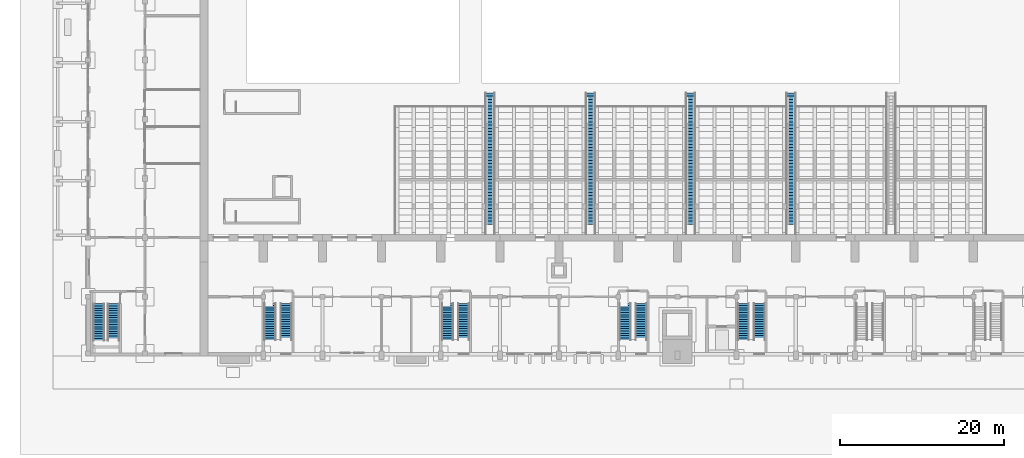
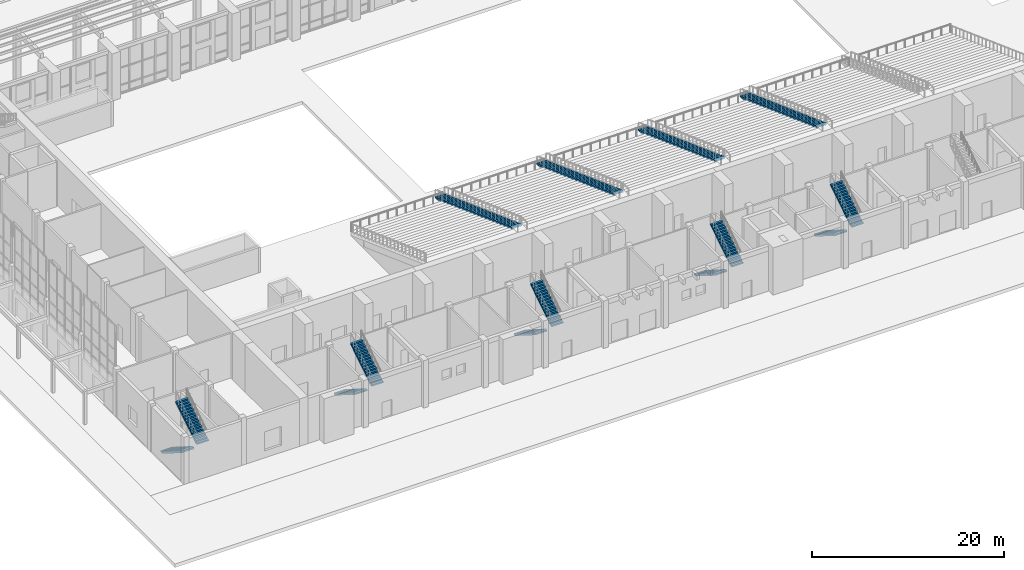
# One storey, part 54 of 70: 14 stair flights, 9 elements without a shape of their own.
"""IFC4 building model written with IfcOpenShell, lengths in metres."""

from ifc_helpers import new_model, si_unit, direction, frame, origin, place, context, subcontext, project, spatial, polyline, outline, extrude, material, type_object, element, aggregate, save


model = new_model("IFC4")

# Units and contexts
model_context = context("Model", 3, precision=1e-05, world=origin(), true_north=direction((0.0, 1.0)))
body_context = subcontext(model_context, "Body", "Model", "MODEL_VIEW")
ifc_project = project(units=[si_unit("LENGTHUNIT", "METRE"), si_unit("AREAUNIT", "SQUARE_METRE"), si_unit("VOLUMEUNIT", "CUBIC_METRE"), si_unit("PLANEANGLEUNIT", "RADIAN"), si_unit("MASSUNIT", "GRAM", prefix="KILO")], contexts=[model_context])

# Site, building, storey
site_placement = place(None, origin())
site = spatial("IfcSite", under=ifc_project, at=site_placement, CompositionType="ELEMENT")
building_placement = place(site_placement, origin())
building = spatial("IfcBuilding", under=site, at=building_placement, Name="Vermilion Court Aquatics Centre", CompositionType="ELEMENT")
storey_placement = place(building_placement, origin())
storey = spatial("IfcBuildingStorey", under=building, at=storey_placement, Name="L00", CompositionType="ELEMENT", Elevation=0.0)

# Stair, stair flights
ifc_material_1 = material(Name="Concrete 5000 psi", Category="concrete")
stair_type_1 = type_object("IfcStairType", Name="Foyer exit stair", PredefinedType="HALF_TURN_STAIR", material=ifc_material_1)
stair_1_placement = place(storey_placement, origin())
stair_1 = element("IfcStair", 1, at=stair_1_placement, inside=storey, type_object=stair_type_1, Name="Exit stair F1", PredefinedType="HALF_TURN_STAIR")
ifc_material_2 = material(Name="Concrete 5000 psi", Category="concrete")
stair_flight_type_1 = type_object("IfcStairFlightType", Name="Foyer exit stair flight 200", PredefinedType="STRAIGHT", material=ifc_material_2)
stair_flight_1_placement = place(storey_placement, frame((1.574951171875, 6.35009765625, 0.0), z_axis=(0.0, 0.0, 1.0), x_axis=(0.0, -1.0, 0.0)))
stair_flight_1 = element("IfcStairFlight", 2, at=stair_flight_1_placement, type_object=stair_flight_type_1, Name="FST1 flight 1", NumberOfRisers=17, NumberOfTreads=16, PredefinedType="STRAIGHT", RiserHeight=0.176470588, TreadLength=0.28, context=body_context, shape_type="SweptSolid", body=[
    extrude(outline(polyline([(0.0, 0.0), (0.0, 0.176513671875), (0.280029296875, 0.176513671875), (0.280029296875, 0.35302734375), (0.56005859375, 0.35302734375), (0.56005859375, 0.529296875), (0.840087890625, 0.529296875), (0.840087890625, 0.705810546875), (1.1201171875, 0.705810546875), (1.1201171875, 0.88232421875), (1.39990234375, 0.88232421875), (1.39990234375, 1.058837890625), (1.679931640625, 1.058837890625), (1.679931640625, 1.2353515625), (1.9599609375, 1.2353515625), (1.9599609375, 1.411865234375), (2.239990234375, 1.411865234375), (2.239990234375, 1.588134765625), (2.52001953125, 1.588134765625), (2.52001953125, 1.7646484375), (2.800048828125, 1.7646484375), (2.800048828125, 1.941162109375), (3.080078125, 1.941162109375), (3.080078125, 2.11767578125), (3.360107421875, 2.11767578125), (3.360107421875, 2.294189453125), (3.639892578125, 2.294189453125), (3.639892578125, 2.470703125), (3.919921875, 2.470703125), (3.919921875, 2.64697265625), (4.199951171875, 2.64697265625), (4.199951171875, 2.823486328125), (4.47998046875, 2.823486328125), (4.47998046875, 3.0), (4.47998046875, 2.587158203125), (0.375, 0.0), (0.0, 0.0)])), frame((0.0, 0.699951171875, 0.0), z_axis=(0.0, -1.0, 0.0), x_axis=(1.0, 0.0, 0.0)), (0.0, 0.0, 1.0), 1.39990234375),
])
stair_flight_2_placement = place(storey_placement, frame((3.375, 1.8701171875, 3.0), z_axis=(0.0, 0.0, 1.0), x_axis=(0.0, 1.0, 0.0)))
stair_flight_2 = element("IfcStairFlight", 3, at=stair_flight_2_placement, type_object=stair_flight_type_1, Name="FST1 flight 2", NumberOfRisers=17, NumberOfTreads=16, PredefinedType="STRAIGHT", RiserHeight=0.176470588, TreadLength=0.28, context=body_context, shape_type="SweptSolid", body=[
    extrude(outline(polyline([(0.0, 0.0), (0.0, 0.176513671875), (0.280029296875, 0.176513671875), (0.280029296875, 0.35302734375), (0.56005859375, 0.35302734375), (0.56005859375, 0.529296875), (0.840087890625, 0.529296875), (0.840087890625, 0.705810546875), (1.1201171875, 0.705810546875), (1.1201171875, 0.88232421875), (1.39990234375, 0.88232421875), (1.39990234375, 1.058837890625), (1.679931640625, 1.058837890625), (1.679931640625, 1.2353515625), (1.9599609375, 1.2353515625), (1.9599609375, 1.411865234375), (2.239990234375, 1.411865234375), (2.239990234375, 1.588134765625), (2.52001953125, 1.588134765625), (2.52001953125, 1.7646484375), (2.800048828125, 1.7646484375), (2.800048828125, 1.941162109375), (3.080078125, 1.941162109375), (3.080078125, 2.11767578125), (3.360107421875, 2.11767578125), (3.360107421875, 2.294189453125), (3.639892578125, 2.294189453125), (3.639892578125, 2.470703125), (3.919921875, 2.470703125), (3.919921875, 2.64697265625), (4.199951171875, 2.64697265625), (4.199951171875, 2.823486328125), (4.47998046875, 2.823486328125), (4.47998046875, 3.0), (4.47998046875, 2.587158203125), (0.375, 0.0), (0.0, 0.0)])), frame((0.0, 0.699951171875, 0.0), z_axis=(0.0, -1.0, 0.0), x_axis=(1.0, 0.0, 0.0)), (0.0, 0.0, 1.0), 1.39990234375),
])
aggregate(stair_1, [stair_flight_1, stair_flight_2])

ifc_material_3 = material(Name="Concrete 5000 psi", Category="concrete")
stair_type_2 = type_object("IfcStairType", Name="South exit stair", PredefinedType="HALF_TURN_STAIR", material=ifc_material_3)
stair_2_placement = place(storey_placement, origin())
stair_2 = element("IfcStair", 4, at=stair_2_placement, inside=storey, type_object=stair_type_2, Name="Exit stair S1", PredefinedType="HALF_TURN_STAIR")
ifc_material_4 = material(Name="Concrete 5000 psi", Category="concrete")
stair_flight_type_2 = type_object("IfcStairFlightType", Name="South exit stair flight", PredefinedType="STRAIGHT", material=ifc_material_4)
stair_flight_3_placement = place(storey_placement, frame((22.425048828125, 6.39990234375, 0.0), z_axis=(0.0, 0.0, 1.0), x_axis=(0.0, -1.0, 0.0)))
stair_flight_3 = element("IfcStairFlight", 5, at=stair_flight_3_placement, type_object=stair_flight_type_2, Name="SST1 flight 1", NumberOfRisers=17, NumberOfTreads=16, PredefinedType="STRAIGHT", RiserHeight=0.176470588, TreadLength=0.28, context=body_context, shape_type="SweptSolid", body=[
    extrude(outline(polyline([(0.0, 0.0), (0.0, 0.176513671875), (0.280029296875, 0.176513671875), (0.280029296875, 0.35302734375), (0.56005859375, 0.35302734375), (0.56005859375, 0.529296875), (0.840087890625, 0.529296875), (0.840087890625, 0.705810546875), (1.1201171875, 0.705810546875), (1.1201171875, 0.88232421875), (1.39990234375, 0.88232421875), (1.39990234375, 1.058837890625), (1.679931640625, 1.058837890625), (1.679931640625, 1.2353515625), (1.9599609375, 1.2353515625), (1.9599609375, 1.411865234375), (2.239990234375, 1.411865234375), (2.239990234375, 1.588134765625), (2.52001953125, 1.588134765625), (2.52001953125, 1.7646484375), (2.800048828125, 1.7646484375), (2.800048828125, 1.941162109375), (3.080078125, 1.941162109375), (3.080078125, 2.11767578125), (3.360107421875, 2.11767578125), (3.360107421875, 2.294189453125), (3.639892578125, 2.294189453125), (3.639892578125, 2.470703125), (3.919921875, 2.470703125), (3.919921875, 2.64697265625), (4.199951171875, 2.64697265625), (4.199951171875, 2.823486328125), (4.47998046875, 2.823486328125), (4.47998046875, 3.0), (4.47998046875, 2.646240234375), (0.28125, 0.0), (0.0, 0.0)])), frame((0.0, 0.699951171875, 0.0), z_axis=(0.0, -1.0, 0.0), x_axis=(1.0, 0.0, 0.0)), (0.0, 0.0, 1.0), 1.39990234375),
])
stair_flight_4_placement = place(storey_placement, frame((24.375, 1.919921875, 3.0), z_axis=(0.0, 0.0, 1.0), x_axis=(0.0, 1.0, 0.0)))
stair_flight_4 = element("IfcStairFlight", 6, at=stair_flight_4_placement, type_object=stair_flight_type_2, Name="SST1 flight 2", NumberOfRisers=17, NumberOfTreads=16, PredefinedType="STRAIGHT", RiserHeight=0.176470588, TreadLength=0.28, context=body_context, shape_type="SweptSolid", body=[
    extrude(outline(polyline([(0.0, 0.0), (0.0, 0.176513671875), (0.280029296875, 0.176513671875), (0.280029296875, 0.35302734375), (0.56005859375, 0.35302734375), (0.56005859375, 0.529296875), (0.840087890625, 0.529296875), (0.840087890625, 0.705810546875), (1.1201171875, 0.705810546875), (1.1201171875, 0.88232421875), (1.39990234375, 0.88232421875), (1.39990234375, 1.058837890625), (1.679931640625, 1.058837890625), (1.679931640625, 1.2353515625), (1.9599609375, 1.2353515625), (1.9599609375, 1.411865234375), (2.239990234375, 1.411865234375), (2.239990234375, 1.588134765625), (2.52001953125, 1.588134765625), (2.52001953125, 1.7646484375), (2.800048828125, 1.7646484375), (2.800048828125, 1.941162109375), (3.080078125, 1.941162109375), (3.080078125, 2.11767578125), (3.360107421875, 2.11767578125), (3.360107421875, 2.294189453125), (3.639892578125, 2.294189453125), (3.639892578125, 2.470703125), (3.919921875, 2.470703125), (3.919921875, 2.64697265625), (4.199951171875, 2.64697265625), (4.199951171875, 2.823486328125), (4.47998046875, 2.823486328125), (4.47998046875, 3.0), (4.47998046875, 2.646240234375), (0.28125, 0.0), (0.0, 0.0)])), frame((0.0, 0.699951171875, 0.0), z_axis=(0.0, -1.0, 0.0), x_axis=(1.0, 0.0, 0.0)), (0.0, 0.0, 1.0), 1.39990234375),
])
aggregate(stair_2, [stair_flight_3, stair_flight_4])

stair_3_placement = place(storey_placement, origin())
stair_3 = element("IfcStair", 7, at=stair_3_placement, inside=storey, type_object=stair_type_2, Name="Exit stair S2", PredefinedType="HALF_TURN_STAIR")
stair_flight_5_placement = place(storey_placement, frame((44.02490234375, 6.39990234375, 0.0), z_axis=(0.0, 0.0, 1.0), x_axis=(0.0, -1.0, 0.0)))
stair_flight_5 = element("IfcStairFlight", 8, at=stair_flight_5_placement, type_object=stair_flight_type_2, Name="SST1 flight 1", NumberOfRisers=17, NumberOfTreads=16, PredefinedType="STRAIGHT", RiserHeight=0.176470588, TreadLength=0.28, context=body_context, shape_type="SweptSolid", body=[
    extrude(outline(polyline([(0.0, 0.0), (0.0, 0.176513671875), (0.280029296875, 0.176513671875), (0.280029296875, 0.35302734375), (0.56005859375, 0.35302734375), (0.56005859375, 0.529296875), (0.840087890625, 0.529296875), (0.840087890625, 0.705810546875), (1.1201171875, 0.705810546875), (1.1201171875, 0.88232421875), (1.39990234375, 0.88232421875), (1.39990234375, 1.058837890625), (1.679931640625, 1.058837890625), (1.679931640625, 1.2353515625), (1.9599609375, 1.2353515625), (1.9599609375, 1.411865234375), (2.239990234375, 1.411865234375), (2.239990234375, 1.588134765625), (2.52001953125, 1.588134765625), (2.52001953125, 1.7646484375), (2.800048828125, 1.7646484375), (2.800048828125, 1.941162109375), (3.080078125, 1.941162109375), (3.080078125, 2.11767578125), (3.360107421875, 2.11767578125), (3.360107421875, 2.294189453125), (3.639892578125, 2.294189453125), (3.639892578125, 2.470703125), (3.919921875, 2.470703125), (3.919921875, 2.64697265625), (4.199951171875, 2.64697265625), (4.199951171875, 2.823486328125), (4.47998046875, 2.823486328125), (4.47998046875, 3.0), (4.47998046875, 2.646240234375), (0.28125, 0.0), (0.0, 0.0)])), frame((0.0, 0.699951171875, 0.0), z_axis=(0.0, -1.0, 0.0), x_axis=(1.0, 0.0, 0.0)), (0.0, 0.0, 1.0), 1.39990234375),
])
stair_flight_6_placement = place(storey_placement, frame((45.97509765625, 1.919921875, 3.0), z_axis=(0.0, 0.0, 1.0), x_axis=(0.0, 1.0, 0.0)))
stair_flight_6 = element("IfcStairFlight", 9, at=stair_flight_6_placement, type_object=stair_flight_type_2, Name="SST1 flight 2", NumberOfRisers=17, NumberOfTreads=16, PredefinedType="STRAIGHT", RiserHeight=0.176470588, TreadLength=0.28, context=body_context, shape_type="SweptSolid", body=[
    extrude(outline(polyline([(0.0, 0.0), (0.0, 0.176513671875), (0.280029296875, 0.176513671875), (0.280029296875, 0.35302734375), (0.56005859375, 0.35302734375), (0.56005859375, 0.529296875), (0.840087890625, 0.529296875), (0.840087890625, 0.705810546875), (1.1201171875, 0.705810546875), (1.1201171875, 0.88232421875), (1.39990234375, 0.88232421875), (1.39990234375, 1.058837890625), (1.679931640625, 1.058837890625), (1.679931640625, 1.2353515625), (1.9599609375, 1.2353515625), (1.9599609375, 1.411865234375), (2.239990234375, 1.411865234375), (2.239990234375, 1.588134765625), (2.52001953125, 1.588134765625), (2.52001953125, 1.7646484375), (2.800048828125, 1.7646484375), (2.800048828125, 1.941162109375), (3.080078125, 1.941162109375), (3.080078125, 2.11767578125), (3.360107421875, 2.11767578125), (3.360107421875, 2.294189453125), (3.639892578125, 2.294189453125), (3.639892578125, 2.470703125), (3.919921875, 2.470703125), (3.919921875, 2.64697265625), (4.199951171875, 2.64697265625), (4.199951171875, 2.823486328125), (4.47998046875, 2.823486328125), (4.47998046875, 3.0), (4.47998046875, 2.646240234375), (0.28125, 0.0), (0.0, 0.0)])), frame((0.0, 0.699951171875, 0.0), z_axis=(0.0, -1.0, 0.0), x_axis=(1.0, 0.0, 0.0)), (0.0, 0.0, 1.0), 1.39990234375),
])
aggregate(stair_3, [stair_flight_5, stair_flight_6])

stair_4_placement = place(storey_placement, origin())
stair_4 = element("IfcStair", 10, at=stair_4_placement, inside=storey, type_object=stair_type_2, Name="Exit stair S3", PredefinedType="HALF_TURN_STAIR")
stair_flight_7_placement = place(storey_placement, frame((65.625, 6.39990234375, 0.0), z_axis=(0.0, 0.0, 1.0), x_axis=(0.0, -1.0, 0.0)))
stair_flight_7 = element("IfcStairFlight", 11, at=stair_flight_7_placement, type_object=stair_flight_type_2, Name="SST1 flight 1", NumberOfRisers=17, NumberOfTreads=16, PredefinedType="STRAIGHT", RiserHeight=0.176470588, TreadLength=0.28, context=body_context, shape_type="SweptSolid", body=[
    extrude(outline(polyline([(0.0, 0.0), (0.0, 0.176513671875), (0.280029296875, 0.176513671875), (0.280029296875, 0.35302734375), (0.56005859375, 0.35302734375), (0.56005859375, 0.529296875), (0.840087890625, 0.529296875), (0.840087890625, 0.705810546875), (1.1201171875, 0.705810546875), (1.1201171875, 0.88232421875), (1.39990234375, 0.88232421875), (1.39990234375, 1.058837890625), (1.679931640625, 1.058837890625), (1.679931640625, 1.2353515625), (1.9599609375, 1.2353515625), (1.9599609375, 1.411865234375), (2.239990234375, 1.411865234375), (2.239990234375, 1.588134765625), (2.52001953125, 1.588134765625), (2.52001953125, 1.7646484375), (2.800048828125, 1.7646484375), (2.800048828125, 1.941162109375), (3.080078125, 1.941162109375), (3.080078125, 2.11767578125), (3.360107421875, 2.11767578125), (3.360107421875, 2.294189453125), (3.639892578125, 2.294189453125), (3.639892578125, 2.470703125), (3.919921875, 2.470703125), (3.919921875, 2.64697265625), (4.199951171875, 2.64697265625), (4.199951171875, 2.823486328125), (4.47998046875, 2.823486328125), (4.47998046875, 3.0), (4.47998046875, 2.646240234375), (0.28125, 0.0), (0.0, 0.0)])), frame((0.0, 0.699951171875, 0.0), z_axis=(0.0, -1.0, 0.0), x_axis=(1.0, 0.0, 0.0)), (0.0, 0.0, 1.0), 1.39990234375),
])
stair_flight_8_placement = place(storey_placement, frame((67.574951171875, 1.919921875, 3.0), z_axis=(0.0, 0.0, 1.0), x_axis=(0.0, 1.0, 0.0)))
stair_flight_8 = element("IfcStairFlight", 12, at=stair_flight_8_placement, type_object=stair_flight_type_2, Name="SST1 flight 2", NumberOfRisers=17, NumberOfTreads=16, PredefinedType="STRAIGHT", RiserHeight=0.176470588, TreadLength=0.28, context=body_context, shape_type="SweptSolid", body=[
    extrude(outline(polyline([(0.0, 0.0), (0.0, 0.176513671875), (0.280029296875, 0.176513671875), (0.280029296875, 0.35302734375), (0.56005859375, 0.35302734375), (0.56005859375, 0.529296875), (0.840087890625, 0.529296875), (0.840087890625, 0.705810546875), (1.1201171875, 0.705810546875), (1.1201171875, 0.88232421875), (1.39990234375, 0.88232421875), (1.39990234375, 1.058837890625), (1.679931640625, 1.058837890625), (1.679931640625, 1.2353515625), (1.9599609375, 1.2353515625), (1.9599609375, 1.411865234375), (2.239990234375, 1.411865234375), (2.239990234375, 1.588134765625), (2.52001953125, 1.588134765625), (2.52001953125, 1.7646484375), (2.800048828125, 1.7646484375), (2.800048828125, 1.941162109375), (3.080078125, 1.941162109375), (3.080078125, 2.11767578125), (3.360107421875, 2.11767578125), (3.360107421875, 2.294189453125), (3.639892578125, 2.294189453125), (3.639892578125, 2.470703125), (3.919921875, 2.470703125), (3.919921875, 2.64697265625), (4.199951171875, 2.64697265625), (4.199951171875, 2.823486328125), (4.47998046875, 2.823486328125), (4.47998046875, 3.0), (4.47998046875, 2.646240234375), (0.28125, 0.0), (0.0, 0.0)])), frame((0.0, 0.699951171875, 0.0), z_axis=(0.0, -1.0, 0.0), x_axis=(1.0, 0.0, 0.0)), (0.0, 0.0, 1.0), 1.39990234375),
])
aggregate(stair_4, [stair_flight_7, stair_flight_8])

stair_5_placement = place(storey_placement, origin())
stair_5 = element("IfcStair", 13, at=stair_5_placement, inside=storey, type_object=stair_type_2, Name="Exit stair S4", PredefinedType="HALF_TURN_STAIR")
stair_flight_9_placement = place(storey_placement, frame((80.02490234375, 6.39990234375, 0.0), z_axis=(0.0, 0.0, 1.0), x_axis=(0.0, -1.0, 0.0)))
stair_flight_9 = element("IfcStairFlight", 14, at=stair_flight_9_placement, type_object=stair_flight_type_2, Name="SST1 flight 1", NumberOfRisers=17, NumberOfTreads=16, PredefinedType="STRAIGHT", RiserHeight=0.176470588, TreadLength=0.28, context=body_context, shape_type="SweptSolid", body=[
    extrude(outline(polyline([(0.0, 0.0), (0.0, 0.176513671875), (0.280029296875, 0.176513671875), (0.280029296875, 0.35302734375), (0.56005859375, 0.35302734375), (0.56005859375, 0.529296875), (0.840087890625, 0.529296875), (0.840087890625, 0.705810546875), (1.1201171875, 0.705810546875), (1.1201171875, 0.88232421875), (1.39990234375, 0.88232421875), (1.39990234375, 1.058837890625), (1.679931640625, 1.058837890625), (1.679931640625, 1.2353515625), (1.9599609375, 1.2353515625), (1.9599609375, 1.411865234375), (2.239990234375, 1.411865234375), (2.239990234375, 1.588134765625), (2.52001953125, 1.588134765625), (2.52001953125, 1.7646484375), (2.800048828125, 1.7646484375), (2.800048828125, 1.941162109375), (3.080078125, 1.941162109375), (3.080078125, 2.11767578125), (3.360107421875, 2.11767578125), (3.360107421875, 2.294189453125), (3.639892578125, 2.294189453125), (3.639892578125, 2.470703125), (3.919921875, 2.470703125), (3.919921875, 2.64697265625), (4.199951171875, 2.64697265625), (4.199951171875, 2.823486328125), (4.47998046875, 2.823486328125), (4.47998046875, 3.0), (4.47998046875, 2.646240234375), (0.28125, 0.0), (0.0, 0.0)])), frame((0.0, 0.699951171875, 0.0), z_axis=(0.0, -1.0, 0.0), x_axis=(1.0, 0.0, 0.0)), (0.0, 0.0, 1.0), 1.39990234375),
])
stair_flight_10_placement = place(storey_placement, frame((81.97509765625, 1.919921875, 3.0), z_axis=(0.0, 0.0, 1.0), x_axis=(0.0, 1.0, 0.0)))
stair_flight_10 = element("IfcStairFlight", 15, at=stair_flight_10_placement, type_object=stair_flight_type_2, Name="SST1 flight 2", NumberOfRisers=17, NumberOfTreads=16, PredefinedType="STRAIGHT", RiserHeight=0.176470588, TreadLength=0.28, context=body_context, shape_type="SweptSolid", body=[
    extrude(outline(polyline([(0.0, 0.0), (0.0, 0.176513671875), (0.280029296875, 0.176513671875), (0.280029296875, 0.35302734375), (0.56005859375, 0.35302734375), (0.56005859375, 0.529296875), (0.840087890625, 0.529296875), (0.840087890625, 0.705810546875), (1.1201171875, 0.705810546875), (1.1201171875, 0.88232421875), (1.39990234375, 0.88232421875), (1.39990234375, 1.058837890625), (1.679931640625, 1.058837890625), (1.679931640625, 1.2353515625), (1.9599609375, 1.2353515625), (1.9599609375, 1.411865234375), (2.239990234375, 1.411865234375), (2.239990234375, 1.588134765625), (2.52001953125, 1.588134765625), (2.52001953125, 1.7646484375), (2.800048828125, 1.7646484375), (2.800048828125, 1.941162109375), (3.080078125, 1.941162109375), (3.080078125, 2.11767578125), (3.360107421875, 2.11767578125), (3.360107421875, 2.294189453125), (3.639892578125, 2.294189453125), (3.639892578125, 2.470703125), (3.919921875, 2.470703125), (3.919921875, 2.64697265625), (4.199951171875, 2.64697265625), (4.199951171875, 2.823486328125), (4.47998046875, 2.823486328125), (4.47998046875, 3.0), (4.47998046875, 2.646240234375), (0.28125, 0.0), (0.0, 0.0)])), frame((0.0, 0.699951171875, 0.0), z_axis=(0.0, -1.0, 0.0), x_axis=(1.0, 0.0, 0.0)), (0.0, 0.0, 1.0), 1.39990234375),
])
aggregate(stair_5, [stair_flight_9, stair_flight_10])

# Stair, stair flight
ifc_material_5 = material(Name="Concrete 5000 psi", Category="concrete")
stair_type_3 = type_object("IfcStairType", Name="Tribune aisle stair", PredefinedType="STRAIGHT_RUN_STAIR", material=ifc_material_5)
stair_6_placement = place(storey_placement, origin())
stair_6 = element("IfcStair", 16, at=stair_6_placement, inside=storey, type_object=stair_type_3, Name="Aisle stair 1", PredefinedType="STRAIGHT_RUN_STAIR")
ifc_material_6 = material(Name="Concrete 5000 psi", Category="concrete")
stair_flight_type_3 = type_object("IfcStairFlightType", Name="Tribune aisle stair flight", PredefinedType="STRAIGHT", material=ifc_material_6)
stair_flight_11_placement = place(storey_placement, frame((49.199951171875, 31.989990234375, 0.0), z_axis=(0.0, 0.0, 1.0), x_axis=(0.0, -1.0, 0.0)))
stair_flight_11 = element("IfcStairFlight", 17, at=stair_flight_11_placement, type_object=stair_flight_type_3, Name="TST1 flight 1", NumberOfRisers=42, NumberOfTreads=41, PredefinedType="STRAIGHT", RiserHeight=0.142857143, TreadLength=0.39, context=body_context, shape_type="SweptSolid", body=[
    extrude(outline(polyline([(0.0, 0.0), (0.0, 0.142822265625), (0.389892578125, 0.142822265625), (0.389892578125, 0.28564453125), (0.780029296875, 0.28564453125), (0.780029296875, 0.428466796875), (1.169921875, 0.428466796875), (1.169921875, 0.571533203125), (1.56005859375, 0.571533203125), (1.56005859375, 0.71435546875), (1.949951171875, 0.71435546875), (1.949951171875, 0.857177734375), (2.340087890625, 0.857177734375), (2.340087890625, 1.0), (2.72998046875, 1.0), (2.72998046875, 1.142822265625), (3.1201171875, 1.142822265625), (3.1201171875, 1.28564453125), (3.510009765625, 1.28564453125), (3.510009765625, 1.428466796875), (3.89990234375, 1.428466796875), (3.89990234375, 1.571533203125), (4.2900390625, 1.571533203125), (4.2900390625, 1.71435546875), (4.679931640625, 1.71435546875), (4.679931640625, 1.857177734375), (5.070068359375, 1.857177734375), (5.070068359375, 2.0), (5.4599609375, 2.0), (5.4599609375, 2.142822265625), (5.85009765625, 2.142822265625), (5.85009765625, 2.28564453125), (6.239990234375, 2.28564453125), (6.239990234375, 2.428466796875), (6.6298828125, 2.428466796875), (6.6298828125, 2.571533203125), (7.02001953125, 2.571533203125), (7.02001953125, 2.71435546875), (7.409912109375, 2.71435546875), (7.409912109375, 2.857177734375), (7.800048828125, 2.857177734375), (7.800048828125, 3.0), (8.18994140625, 3.0), (8.18994140625, 3.142822265625), (8.580078125, 3.142822265625), (8.580078125, 3.28564453125), (8.969970703125, 3.28564453125), (8.969970703125, 3.428466796875), (9.360107421875, 3.428466796875), (9.360107421875, 3.571533203125), (9.75, 3.571533203125), (9.75, 3.71435546875), (10.139892578125, 3.71435546875), (10.139892578125, 3.857177734375), (10.530029296875, 3.857177734375), (10.530029296875, 4.0), (10.919921875, 4.0), (10.919921875, 4.142822265625), (11.31005859375, 4.142822265625), (11.31005859375, 4.28564453125), (11.699951171875, 4.28564453125), (11.699951171875, 4.428466796875), (12.090087890625, 4.428466796875), (12.090087890625, 4.571533203125), (12.47998046875, 4.571533203125), (12.47998046875, 4.71435546875), (12.8701171875, 4.71435546875), (12.8701171875, 4.857177734375), (13.260009765625, 4.857177734375), (13.260009765625, 5.0), (13.64990234375, 5.0), (13.64990234375, 5.142822265625), (14.0400390625, 5.142822265625), (14.0400390625, 5.28564453125), (14.429931640625, 5.28564453125), (14.429931640625, 5.428466796875), (14.820068359375, 5.428466796875), (14.820068359375, 5.571533203125), (15.2099609375, 5.571533203125), (15.2099609375, 5.71435546875), (15.60009765625, 5.71435546875), (15.60009765625, 5.857177734375), (15.989990234375, 5.857177734375), (15.989990234375, 6.0), (15.989990234375, 5.697509765625), (0.435791015625, 0.0), (0.0, 0.0)])), frame((0.0, 0.60009765625, 0.0), z_axis=(0.0, -1.0, 0.0), x_axis=(1.0, 0.0, 0.0)), (0.0, 0.0, 1.0), 1.199951171875),
])
aggregate(stair_6, [stair_flight_11])

stair_7_placement = place(storey_placement, origin())
stair_7 = element("IfcStair", 18, at=stair_7_placement, inside=storey, type_object=stair_type_3, Name="Aisle stair 2", PredefinedType="STRAIGHT_RUN_STAIR")
stair_flight_12_placement = place(storey_placement, frame((61.39990234375, 31.989990234375, 0.0), z_axis=(0.0, 0.0, 1.0), x_axis=(0.0, -1.0, 0.0)))
stair_flight_12 = element("IfcStairFlight", 19, at=stair_flight_12_placement, type_object=stair_flight_type_3, Name="TST1 flight 1", NumberOfRisers=42, NumberOfTreads=41, PredefinedType="STRAIGHT", RiserHeight=0.142857143, TreadLength=0.39, context=body_context, shape_type="SweptSolid", body=[
    extrude(outline(polyline([(0.0, 0.0), (0.0, 0.142822265625), (0.389892578125, 0.142822265625), (0.389892578125, 0.28564453125), (0.780029296875, 0.28564453125), (0.780029296875, 0.428466796875), (1.169921875, 0.428466796875), (1.169921875, 0.571533203125), (1.56005859375, 0.571533203125), (1.56005859375, 0.71435546875), (1.949951171875, 0.71435546875), (1.949951171875, 0.857177734375), (2.340087890625, 0.857177734375), (2.340087890625, 1.0), (2.72998046875, 1.0), (2.72998046875, 1.142822265625), (3.1201171875, 1.142822265625), (3.1201171875, 1.28564453125), (3.510009765625, 1.28564453125), (3.510009765625, 1.428466796875), (3.89990234375, 1.428466796875), (3.89990234375, 1.571533203125), (4.2900390625, 1.571533203125), (4.2900390625, 1.71435546875), (4.679931640625, 1.71435546875), (4.679931640625, 1.857177734375), (5.070068359375, 1.857177734375), (5.070068359375, 2.0), (5.4599609375, 2.0), (5.4599609375, 2.142822265625), (5.85009765625, 2.142822265625), (5.85009765625, 2.28564453125), (6.239990234375, 2.28564453125), (6.239990234375, 2.428466796875), (6.6298828125, 2.428466796875), (6.6298828125, 2.571533203125), (7.02001953125, 2.571533203125), (7.02001953125, 2.71435546875), (7.409912109375, 2.71435546875), (7.409912109375, 2.857177734375), (7.800048828125, 2.857177734375), (7.800048828125, 3.0), (8.18994140625, 3.0), (8.18994140625, 3.142822265625), (8.580078125, 3.142822265625), (8.580078125, 3.28564453125), (8.969970703125, 3.28564453125), (8.969970703125, 3.428466796875), (9.360107421875, 3.428466796875), (9.360107421875, 3.571533203125), (9.75, 3.571533203125), (9.75, 3.71435546875), (10.139892578125, 3.71435546875), (10.139892578125, 3.857177734375), (10.530029296875, 3.857177734375), (10.530029296875, 4.0), (10.919921875, 4.0), (10.919921875, 4.142822265625), (11.31005859375, 4.142822265625), (11.31005859375, 4.28564453125), (11.699951171875, 4.28564453125), (11.699951171875, 4.428466796875), (12.090087890625, 4.428466796875), (12.090087890625, 4.571533203125), (12.47998046875, 4.571533203125), (12.47998046875, 4.71435546875), (12.8701171875, 4.71435546875), (12.8701171875, 4.857177734375), (13.260009765625, 4.857177734375), (13.260009765625, 5.0), (13.64990234375, 5.0), (13.64990234375, 5.142822265625), (14.0400390625, 5.142822265625), (14.0400390625, 5.28564453125), (14.429931640625, 5.28564453125), (14.429931640625, 5.428466796875), (14.820068359375, 5.428466796875), (14.820068359375, 5.571533203125), (15.2099609375, 5.571533203125), (15.2099609375, 5.71435546875), (15.60009765625, 5.71435546875), (15.60009765625, 5.857177734375), (15.989990234375, 5.857177734375), (15.989990234375, 6.0), (15.989990234375, 5.697509765625), (0.435791015625, 0.0), (0.0, 0.0)])), frame((0.0, 0.60009765625, 0.0), z_axis=(0.0, -1.0, 0.0), x_axis=(1.0, 0.0, 0.0)), (0.0, 0.0, 1.0), 1.199951171875),
])
aggregate(stair_7, [stair_flight_12])

stair_8_placement = place(storey_placement, origin())
stair_8 = element("IfcStair", 20, at=stair_8_placement, inside=storey, type_object=stair_type_3, Name="Aisle stair 3", PredefinedType="STRAIGHT_RUN_STAIR")
stair_flight_13_placement = place(storey_placement, frame((73.60009765625, 31.989990234375, 0.0), z_axis=(0.0, 0.0, 1.0), x_axis=(0.0, -1.0, 0.0)))
stair_flight_13 = element("IfcStairFlight", 21, at=stair_flight_13_placement, type_object=stair_flight_type_3, Name="TST1 flight 1", NumberOfRisers=42, NumberOfTreads=41, PredefinedType="STRAIGHT", RiserHeight=0.142857143, TreadLength=0.39, context=body_context, shape_type="SweptSolid", body=[
    extrude(outline(polyline([(0.0, 0.0), (0.0, 0.142822265625), (0.389892578125, 0.142822265625), (0.389892578125, 0.28564453125), (0.780029296875, 0.28564453125), (0.780029296875, 0.428466796875), (1.169921875, 0.428466796875), (1.169921875, 0.571533203125), (1.56005859375, 0.571533203125), (1.56005859375, 0.71435546875), (1.949951171875, 0.71435546875), (1.949951171875, 0.857177734375), (2.340087890625, 0.857177734375), (2.340087890625, 1.0), (2.72998046875, 1.0), (2.72998046875, 1.142822265625), (3.1201171875, 1.142822265625), (3.1201171875, 1.28564453125), (3.510009765625, 1.28564453125), (3.510009765625, 1.428466796875), (3.89990234375, 1.428466796875), (3.89990234375, 1.571533203125), (4.2900390625, 1.571533203125), (4.2900390625, 1.71435546875), (4.679931640625, 1.71435546875), (4.679931640625, 1.857177734375), (5.070068359375, 1.857177734375), (5.070068359375, 2.0), (5.4599609375, 2.0), (5.4599609375, 2.142822265625), (5.85009765625, 2.142822265625), (5.85009765625, 2.28564453125), (6.239990234375, 2.28564453125), (6.239990234375, 2.428466796875), (6.6298828125, 2.428466796875), (6.6298828125, 2.571533203125), (7.02001953125, 2.571533203125), (7.02001953125, 2.71435546875), (7.409912109375, 2.71435546875), (7.409912109375, 2.857177734375), (7.800048828125, 2.857177734375), (7.800048828125, 3.0), (8.18994140625, 3.0), (8.18994140625, 3.142822265625), (8.580078125, 3.142822265625), (8.580078125, 3.28564453125), (8.969970703125, 3.28564453125), (8.969970703125, 3.428466796875), (9.360107421875, 3.428466796875), (9.360107421875, 3.571533203125), (9.75, 3.571533203125), (9.75, 3.71435546875), (10.139892578125, 3.71435546875), (10.139892578125, 3.857177734375), (10.530029296875, 3.857177734375), (10.530029296875, 4.0), (10.919921875, 4.0), (10.919921875, 4.142822265625), (11.31005859375, 4.142822265625), (11.31005859375, 4.28564453125), (11.699951171875, 4.28564453125), (11.699951171875, 4.428466796875), (12.090087890625, 4.428466796875), (12.090087890625, 4.571533203125), (12.47998046875, 4.571533203125), (12.47998046875, 4.71435546875), (12.8701171875, 4.71435546875), (12.8701171875, 4.857177734375), (13.260009765625, 4.857177734375), (13.260009765625, 5.0), (13.64990234375, 5.0), (13.64990234375, 5.142822265625), (14.0400390625, 5.142822265625), (14.0400390625, 5.28564453125), (14.429931640625, 5.28564453125), (14.429931640625, 5.428466796875), (14.820068359375, 5.428466796875), (14.820068359375, 5.571533203125), (15.2099609375, 5.571533203125), (15.2099609375, 5.71435546875), (15.60009765625, 5.71435546875), (15.60009765625, 5.857177734375), (15.989990234375, 5.857177734375), (15.989990234375, 6.0), (15.989990234375, 5.697509765625), (0.435791015625, 0.0), (0.0, 0.0)])), frame((0.0, 0.60009765625, 0.0), z_axis=(0.0, -1.0, 0.0), x_axis=(1.0, 0.0, 0.0)), (0.0, 0.0, 1.0), 1.199951171875),
])
aggregate(stair_8, [stair_flight_13])

stair_9_placement = place(storey_placement, origin())
stair_9 = element("IfcStair", 22, at=stair_9_placement, inside=storey, type_object=stair_type_3, Name="Aisle stair 4", PredefinedType="STRAIGHT_RUN_STAIR")
stair_flight_14_placement = place(storey_placement, frame((85.800048828125, 31.989990234375, 0.0), z_axis=(0.0, 0.0, 1.0), x_axis=(0.0, -1.0, 0.0)))
stair_flight_14 = element("IfcStairFlight", 23, at=stair_flight_14_placement, type_object=stair_flight_type_3, Name="TST1 flight 1", NumberOfRisers=42, NumberOfTreads=41, PredefinedType="STRAIGHT", RiserHeight=0.142857143, TreadLength=0.39, context=body_context, shape_type="SweptSolid", body=[
    extrude(outline(polyline([(0.0, 0.0), (0.0, 0.142822265625), (0.389892578125, 0.142822265625), (0.389892578125, 0.28564453125), (0.780029296875, 0.28564453125), (0.780029296875, 0.428466796875), (1.169921875, 0.428466796875), (1.169921875, 0.571533203125), (1.56005859375, 0.571533203125), (1.56005859375, 0.71435546875), (1.949951171875, 0.71435546875), (1.949951171875, 0.857177734375), (2.340087890625, 0.857177734375), (2.340087890625, 1.0), (2.72998046875, 1.0), (2.72998046875, 1.142822265625), (3.1201171875, 1.142822265625), (3.1201171875, 1.28564453125), (3.510009765625, 1.28564453125), (3.510009765625, 1.428466796875), (3.89990234375, 1.428466796875), (3.89990234375, 1.571533203125), (4.2900390625, 1.571533203125), (4.2900390625, 1.71435546875), (4.679931640625, 1.71435546875), (4.679931640625, 1.857177734375), (5.070068359375, 1.857177734375), (5.070068359375, 2.0), (5.4599609375, 2.0), (5.4599609375, 2.142822265625), (5.85009765625, 2.142822265625), (5.85009765625, 2.28564453125), (6.239990234375, 2.28564453125), (6.239990234375, 2.428466796875), (6.6298828125, 2.428466796875), (6.6298828125, 2.571533203125), (7.02001953125, 2.571533203125), (7.02001953125, 2.71435546875), (7.409912109375, 2.71435546875), (7.409912109375, 2.857177734375), (7.800048828125, 2.857177734375), (7.800048828125, 3.0), (8.18994140625, 3.0), (8.18994140625, 3.142822265625), (8.580078125, 3.142822265625), (8.580078125, 3.28564453125), (8.969970703125, 3.28564453125), (8.969970703125, 3.428466796875), (9.360107421875, 3.428466796875), (9.360107421875, 3.571533203125), (9.75, 3.571533203125), (9.75, 3.71435546875), (10.139892578125, 3.71435546875), (10.139892578125, 3.857177734375), (10.530029296875, 3.857177734375), (10.530029296875, 4.0), (10.919921875, 4.0), (10.919921875, 4.142822265625), (11.31005859375, 4.142822265625), (11.31005859375, 4.28564453125), (11.699951171875, 4.28564453125), (11.699951171875, 4.428466796875), (12.090087890625, 4.428466796875), (12.090087890625, 4.571533203125), (12.47998046875, 4.571533203125), (12.47998046875, 4.71435546875), (12.8701171875, 4.71435546875), (12.8701171875, 4.857177734375), (13.260009765625, 4.857177734375), (13.260009765625, 5.0), (13.64990234375, 5.0), (13.64990234375, 5.142822265625), (14.0400390625, 5.142822265625), (14.0400390625, 5.28564453125), (14.429931640625, 5.28564453125), (14.429931640625, 5.428466796875), (14.820068359375, 5.428466796875), (14.820068359375, 5.571533203125), (15.2099609375, 5.571533203125), (15.2099609375, 5.71435546875), (15.60009765625, 5.71435546875), (15.60009765625, 5.857177734375), (15.989990234375, 5.857177734375), (15.989990234375, 6.0), (15.989990234375, 5.697509765625), (0.435791015625, 0.0), (0.0, 0.0)])), frame((0.0, 0.60009765625, 0.0), z_axis=(0.0, -1.0, 0.0), x_axis=(1.0, 0.0, 0.0)), (0.0, 0.0, 1.0), 1.199951171875),
])
aggregate(stair_9, [stair_flight_14])

save(model, "model.ifc")
